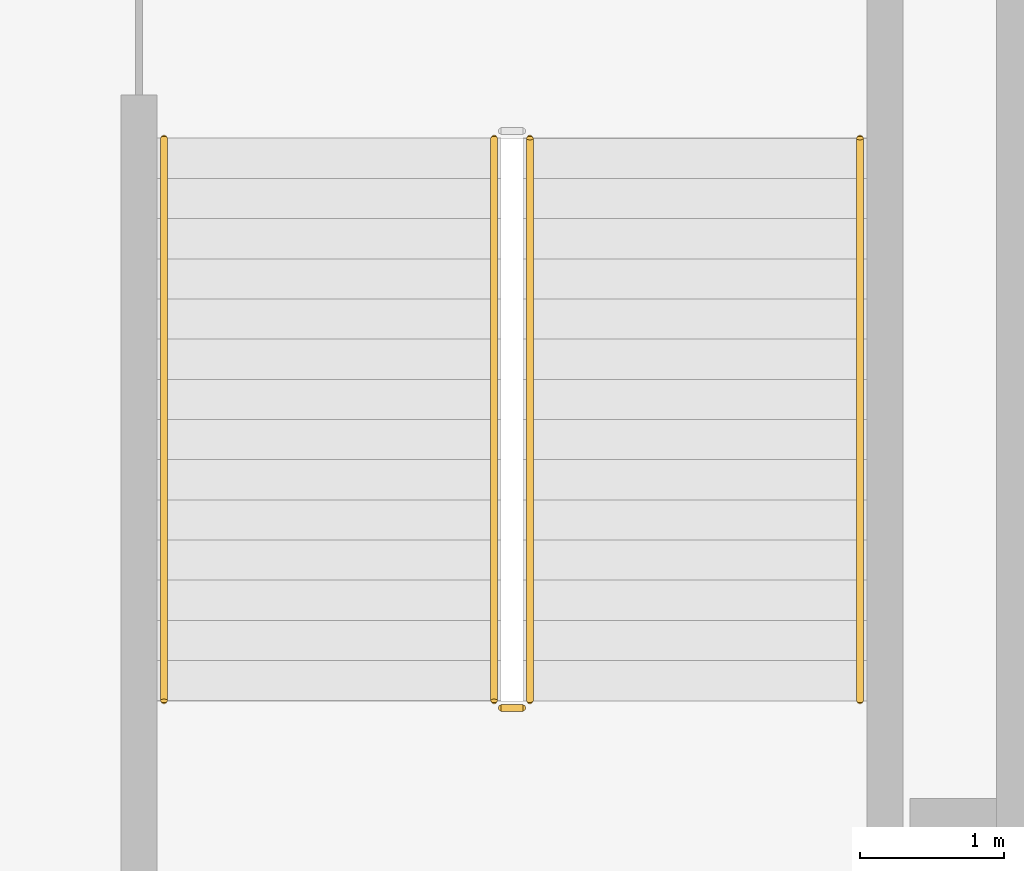
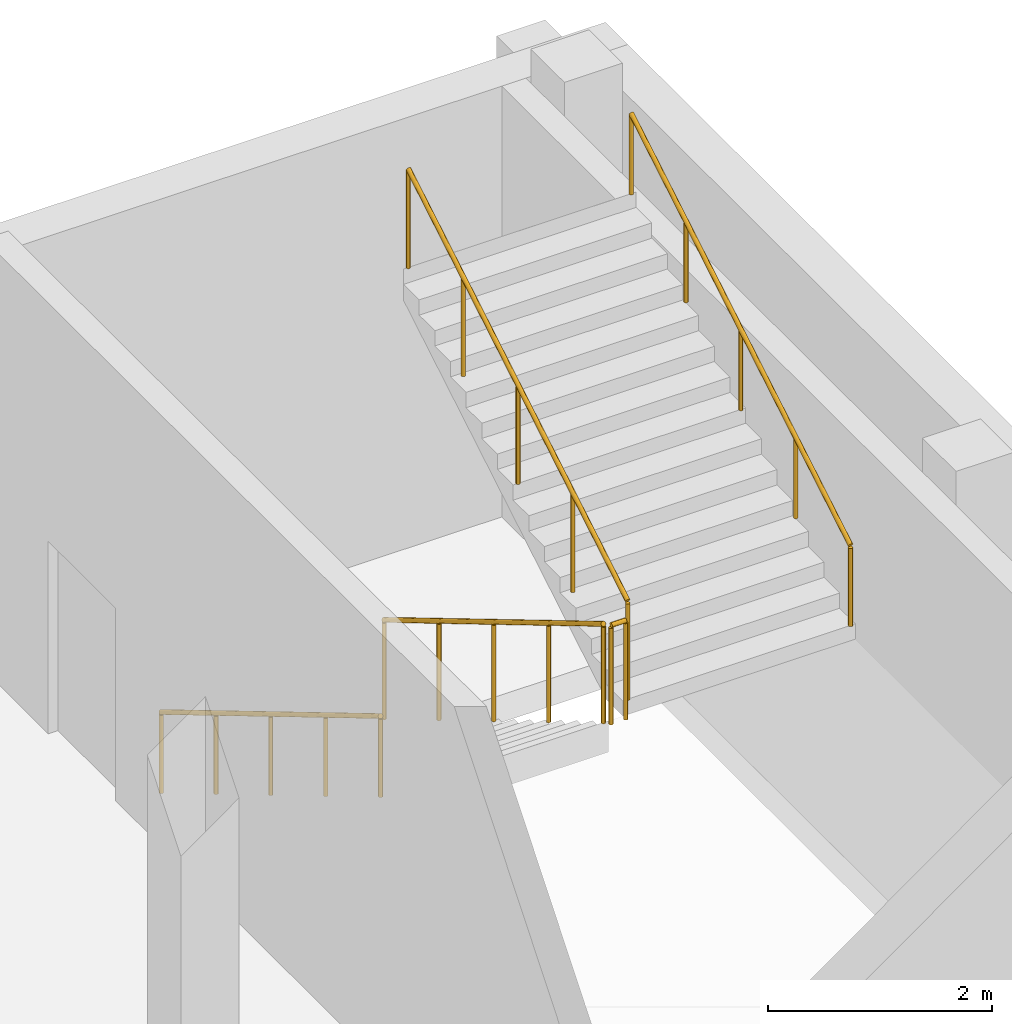
# One storey, part 30 of 32: 5 railings.
"""IFC4 building model written with IfcOpenShell, lengths in metres."""

from ifc_helpers import new_model, si_unit, direction, frame, origin, origin_2d, place, context, subcontext, project, spatial, circle, extrude, material, type_object, element, save


model = new_model("IFC4")

# Units and contexts
model_context = context("Model", 3, precision=1e-05, world=origin(), true_north=direction((0.0, 1.0)))
body_context = subcontext(model_context, "Body", "Model", "MODEL_VIEW")
ifc_project = project(units=[si_unit("LENGTHUNIT", "METRE"), si_unit("AREAUNIT", "SQUARE_METRE"), si_unit("VOLUMEUNIT", "CUBIC_METRE"), si_unit("PLANEANGLEUNIT", "RADIAN"), si_unit("MASSUNIT", "GRAM", prefix="KILO")], contexts=[model_context])

# Site, building, storey
site_placement = place(None, origin())
site = spatial("IfcSite", under=ifc_project, at=site_placement, CompositionType="ELEMENT")
building_placement = place(site_placement, origin())
building = spatial("IfcBuilding", under=site, at=building_placement, Name="Tamorin Gate", CompositionType="ELEMENT")
storey_placement = place(building_placement, frame((0.0, 0.0, 18.5)))
storey = spatial("IfcBuildingStorey", under=building, at=storey_placement, Name="L03", CompositionType="ELEMENT", Elevation=18.5)

# Railings
ifc_material = material(Name="Steel, galvanised", Category="steel")
railing_type_1 = type_object("IfcRailingType", Name="Steel guard 1100 museum", PredefinedType="GUARDRAIL", material=ifc_material)
railing_1_placement = place(storey_placement, frame((206.5, 95.60009765625, 0.166748046875)))
element("IfcRailing", 1, at=railing_1_placement, inside=storey, type_object=railing_type_1, Name="L03 PS9 stair guard 1", PredefinedType="GUARDRAIL", context=body_context, shape_type="SweptSolid", body=[
    extrude(circle(Radius=0.02392578125, at=origin_2d()), frame((0.0, 0.0, 1.076171875), z_axis=(0.0, -0.859310244771, 0.511454693235), x_axis=(1.0, 0.0, 0.0)), (0.0, 0.0, 1.0), 4.56201171875),
    extrude(circle(Radius=0.02099609375, at=origin_2d()), origin(), (0.0, 0.0, 1.0), 1.052001953125),
    extrude(circle(Radius=0.02099609375, at=origin_2d()), frame((0.0, -0.97998046875, 0.583251953125)), (0.0, 0.0, 1.0), 1.052001953125),
    extrude(circle(Radius=0.02099609375, at=origin_2d()), frame((0.0, -1.9599609375, 1.16650390625)), (0.0, 0.0, 1.0), 1.052001953125),
    extrude(circle(Radius=0.02099609375, at=origin_2d()), frame((0.0, -2.940185546875, 1.75)), (0.0, 0.0, 1.0), 1.052001953125),
    extrude(circle(Radius=0.02099609375, at=origin_2d()), frame((0.0, -3.920166015625, 2.333251953125)), (0.0, 0.0, 1.0), 1.052001953125),
])
railing_2_placement = place(storey_placement, frame((206.550048828125, 91.6298828125, 2.5)))
element("IfcRailing", 2, at=railing_2_placement, inside=storey, type_object=railing_type_1, Name="L03 PS9 stair guard 2", PredefinedType="GUARDRAIL", context=body_context, shape_type="SweptSolid", body=[
    extrude(circle(Radius=0.02392578125, at=origin_2d()), frame((0.0, 0.0, 1.076171875), z_axis=(1.0, 0.0, 0.0), x_axis=(0.0, 1.0, 0.0)), (0.0, 0.0, 1.0), 0.14990234375),
    extrude(circle(Radius=0.02099609375, at=origin_2d()), origin(), (0.0, 0.0, 1.0), 1.052001953125),
    extrude(circle(Radius=0.02099609375, at=origin_2d()), frame((0.14990234375, 0.0, 0.0)), (0.0, 0.0, 1.0), 1.052001953125),
])
railing_3_placement = place(storey_placement, frame((206.75, 91.679931640625, 2.666748046875)))
element("IfcRailing", 3, at=railing_3_placement, inside=storey, type_object=railing_type_1, Name="L03 PS9 stair guard 3", PredefinedType="GUARDRAIL", context=body_context, shape_type="SweptSolid", body=[
    extrude(circle(Radius=0.02392578125, at=origin_2d()), frame((0.0, 0.0, 1.076171875), z_axis=(0.0, 0.859310244771, 0.511454693235), x_axis=(-1.0, 0.0, 0.0)), (0.0, 0.0, 1.0), 4.56201171875),
    extrude(circle(Radius=0.02099609375, at=origin_2d()), origin(), (0.0, 0.0, 1.0), 1.052001953125),
    extrude(circle(Radius=0.02099609375, at=origin_2d()), frame((0.0, 0.97998046875, 0.583251953125)), (0.0, 0.0, 1.0), 1.052001953125),
    extrude(circle(Radius=0.02099609375, at=origin_2d()), frame((0.0, 1.9599609375, 1.16650390625)), (0.0, 0.0, 1.0), 1.052001953125),
    extrude(circle(Radius=0.02099609375, at=origin_2d()), frame((0.0, 2.940185546875, 1.75)), (0.0, 0.0, 1.0), 1.052001953125),
    extrude(circle(Radius=0.02099609375, at=origin_2d()), frame((0.0, 3.920166015625, 2.333251953125)), (0.0, 0.0, 1.0), 1.052001953125),
])
railing_type_2 = type_object("IfcRailingType", Name="Steel handrail 900 museum", PredefinedType="HANDRAIL", material=ifc_material)
railing_4_placement = place(storey_placement, frame((204.199951171875, 95.60009765625, 0.166748046875)))
element("IfcRailing", 4, at=railing_4_placement, inside=storey, type_object=railing_type_2, Name="L03 PS9 stair handrail 1", PredefinedType="HANDRAIL", context=body_context, shape_type="SweptSolid", body=[
    extrude(circle(Radius=0.02392578125, at=origin_2d()), frame((0.0, 0.0, 0.8759765625), z_axis=(0.0, -0.859310244771, 0.511454693235), x_axis=(1.0, 0.0, 0.0)), (0.0, 0.0, 1.0), 4.56201171875),
    extrude(circle(Radius=0.02099609375, at=origin_2d()), origin(), (0.0, 0.0, 1.0), 0.851806640625),
    extrude(circle(Radius=0.02099609375, at=origin_2d()), frame((0.0, -0.97998046875, 0.583251953125)), (0.0, 0.0, 1.0), 0.851806640625),
    extrude(circle(Radius=0.02099609375, at=origin_2d()), frame((0.0, -1.9599609375, 1.16650390625)), (0.0, 0.0, 1.0), 0.851806640625),
    extrude(circle(Radius=0.02099609375, at=origin_2d()), frame((0.0, -2.940185546875, 1.75)), (0.0, 0.0, 1.0), 0.851806640625),
    extrude(circle(Radius=0.02099609375, at=origin_2d()), frame((0.0, -3.920166015625, 2.333251953125)), (0.0, 0.0, 1.0), 0.851806640625),
])
railing_5_placement = place(storey_placement, frame((209.050048828125, 91.679931640625, 2.666748046875)))
element("IfcRailing", 5, at=railing_5_placement, inside=storey, type_object=railing_type_2, Name="L03 PS9 stair handrail 2", PredefinedType="HANDRAIL", context=body_context, shape_type="SweptSolid", body=[
    extrude(circle(Radius=0.02392578125, at=origin_2d()), frame((0.0, 0.0, 0.8759765625), z_axis=(0.0, 0.859310244771, 0.511454693235), x_axis=(-1.0, 0.0, 0.0)), (0.0, 0.0, 1.0), 4.56201171875),
    extrude(circle(Radius=0.02099609375, at=origin_2d()), origin(), (0.0, 0.0, 1.0), 0.851806640625),
    extrude(circle(Radius=0.02099609375, at=origin_2d()), frame((0.0, 0.97998046875, 0.583251953125)), (0.0, 0.0, 1.0), 0.851806640625),
    extrude(circle(Radius=0.02099609375, at=origin_2d()), frame((0.0, 1.9599609375, 1.16650390625)), (0.0, 0.0, 1.0), 0.851806640625),
    extrude(circle(Radius=0.02099609375, at=origin_2d()), frame((0.0, 2.940185546875, 1.75)), (0.0, 0.0, 1.0), 0.851806640625),
    extrude(circle(Radius=0.02099609375, at=origin_2d()), frame((0.0, 3.920166015625, 2.333251953125)), (0.0, 0.0, 1.0), 0.851806640625),
])

save(model, "model.ifc")
